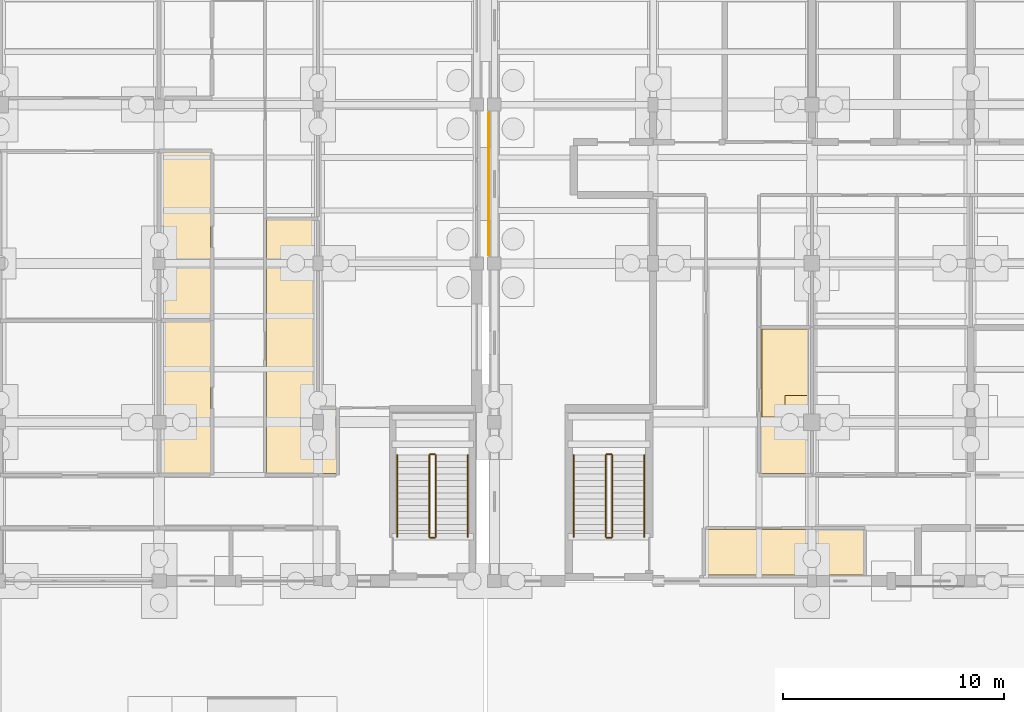
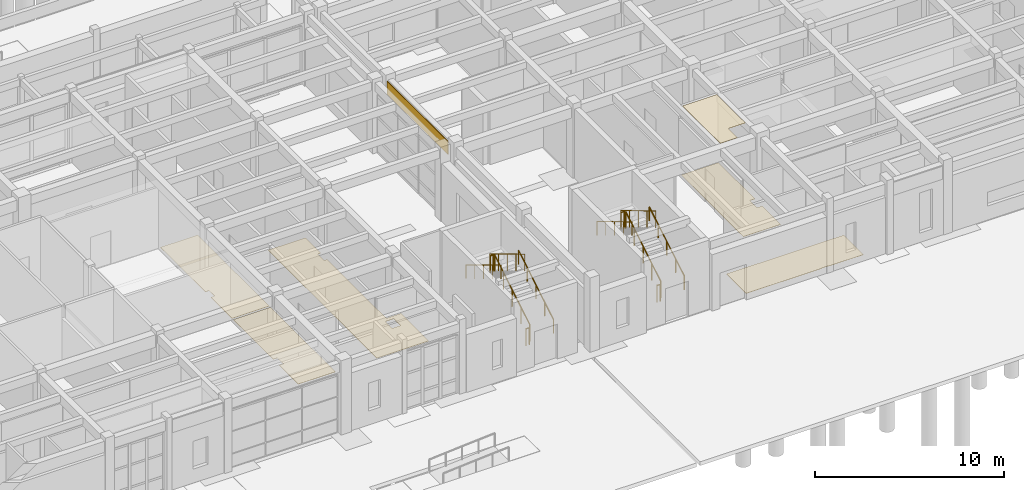
# One storey, part 130 of 143: 12 railings, 7 coverings.
"""IFC4 building model written with IfcOpenShell, lengths in metres."""

from ifc_helpers import new_model, si_unit, direction, frame, origin, origin_2d, place, context, subcontext, project, spatial, polyline, rectangle, circle, outline, extrude, material, layer, layer_set, type_object, element, save


model = new_model("IFC4")

# Units and contexts
model_context = context("Model", 3, precision=1e-05, world=origin(), true_north=direction((0.0, 1.0)))
body_context = subcontext(model_context, "Body", "Model", "MODEL_VIEW")
ifc_project = project(units=[si_unit("LENGTHUNIT", "METRE"), si_unit("AREAUNIT", "SQUARE_METRE"), si_unit("VOLUMEUNIT", "CUBIC_METRE"), si_unit("PLANEANGLEUNIT", "RADIAN"), si_unit("MASSUNIT", "GRAM", prefix="KILO")], contexts=[model_context])

# Site, building, storey
site_placement = place(None, origin())
site = spatial("IfcSite", under=ifc_project, at=site_placement, CompositionType="ELEMENT")
building_placement = place(site_placement, origin())
building = spatial("IfcBuilding", under=site, at=building_placement, Name="Steenspoor Specialist Clinic", CompositionType="ELEMENT")
storey_placement = place(building_placement, origin())
storey = spatial("IfcBuildingStorey", under=building, at=storey_placement, Name="L00", CompositionType="ELEMENT", Elevation=0.0)

# Coverings
ifc_material_1 = material(Name="Washable acoustic mineral ceiling board", Category="gypsum")
ifc_layer_1 = layer(ifc_material_1, 0.02490234375)
ifc_layer_set_1 = layer_set([ifc_layer_1], Name="Washable acoustic mineral ceiling board")
covering_type_1 = type_object("IfcCoveringType", Name="COV-CEIL-ACOUSTIC", PredefinedType="CEILING", material=ifc_layer_set_1)
covering_1_placement = place(storey_placement, frame((0.0, 0.0, 4.43505859375)))
element("IfcCovering", 1, at=covering_1_placement, inside=storey, type_object=covering_type_1, Name="Acoustic Clinical Ceiling 038", PredefinedType="CEILING", context=body_context, shape_type="SweptSolid", body=[
    extrude(outline(polyline([(132.22998046875, 24.485107421875), (132.22998046875, 21.469970703125), (131.179931640625, 21.469970703125), (131.179931640625, 20.4951171875), (130.139892578125, 20.4951171875), (130.139892578125, 24.485107421875), (132.22998046875, 24.485107421875)])), origin(), (0.0, 0.0, 1.0), 0.02490234375),
])
ifc_material_2 = material(Name="Glazed ceramic relief spandrel cladding", Category="masonry")
ifc_layer_2 = layer(ifc_material_2, 0.034912109375)
ifc_layer_set_2 = layer_set([ifc_layer_2], Name="Glazed ceramic relief spandrel cladding")
covering_type_2 = type_object("IfcCoveringType", Name="COV-CLAD-CERAMIC", PredefinedType="CLADDING", material=ifc_layer_set_2)
covering_2_placement = place(storey_placement, frame((117.75, 31.050048828125, 3.625), z_axis=(0.0, 0.0, 1.0), x_axis=(0.0, 1.0, 0.0)))
element("IfcCovering", 2, at=covering_2_placement, inside=storey, type_object=covering_type_2, Name="Spandrel Cladding 12", PredefinedType="CLADDING", context=body_context, shape_type="SweptSolid", body=[
    extrude(rectangle(XDim=6.47998046875, YDim=0.0400390625, at=origin_2d()), origin(), (0.0, 0.0, 1.0), 0.840087890625),
])
ifc_material_3 = material(Name="Seamless clinical vinyl and terrazzo flooring", Category="plastic")
ifc_layer_3 = layer(ifc_material_3, 0.02001953125)
ifc_layer_set_3 = layer_set([ifc_layer_3], Name="Seamless clinical vinyl and terrazzo flooring")
covering_type_3 = type_object("IfcCoveringType", Name="COV-FLOOR-VINYL", PredefinedType="FLOORING", material=ifc_layer_set_3)
covering_3_placement = place(storey_placement, origin())
element("IfcCovering", 3, at=covering_3_placement, inside=storey, type_object=covering_type_3, Name="Clinical Vinyl Flooring 16", PredefinedType="FLOORING", context=body_context, shape_type="SweptSolid", body=[
    extrude(outline(polyline([(105.135009765625, 24.784912109375), (105.135009765625, 17.9150390625), (102.864990234375, 17.9150390625), (102.864990234375, 19.93505859375), (103.114990234375, 19.93505859375), (103.114990234375, 20.56494140625), (102.864990234375, 20.56494140625), (102.864990234375, 24.784912109375), (105.135009765625, 24.784912109375)])), origin(), (0.0, 0.0, 1.0), 0.02001953125),
])
covering_4_placement = place(storey_placement, origin())
element("IfcCovering", 4, at=covering_4_placement, inside=storey, type_object=covering_type_3, Name="Clinical Vinyl Flooring 17", PredefinedType="FLOORING", context=body_context, shape_type="SweptSolid", body=[
    extrude(outline(polyline([(109.93505859375, 29.4150390625), (109.93505859375, 27.7900390625), (109.760009765625, 27.7900390625), (109.760009765625, 27.110107421875), (109.93505859375, 27.110107421875), (109.93505859375, 20.8349609375), (110.8349609375, 20.8349609375), (110.8349609375, 17.9150390625), (107.6650390625, 17.9150390625), (107.6650390625, 29.4150390625), (109.93505859375, 29.4150390625)]), holes=[polyline([(110.264892578125, 19.885009765625), (110.264892578125, 20.614990234375), (109.735107421875, 20.614990234375), (109.735107421875, 19.885009765625), (110.264892578125, 19.885009765625)])]), origin(), (0.0, 0.0, 1.0), 0.02001953125),
])
covering_5_placement = place(storey_placement, origin())
element("IfcCovering", 5, at=covering_5_placement, inside=storey, type_object=covering_type_3, Name="Clinical Vinyl Flooring 22", PredefinedType="FLOORING", context=body_context, shape_type="SweptSolid", body=[
    extrude(outline(polyline([(105.135009765625, 32.485107421875), (105.135009765625, 24.9150390625), (102.864990234375, 24.9150390625), (102.864990234375, 27.159912109375), (103.090087890625, 27.159912109375), (103.090087890625, 27.739990234375), (102.864990234375, 27.739990234375), (102.864990234375, 32.485107421875), (105.135009765625, 32.485107421875)])), origin(), (0.0, 0.0, 1.0), 0.02001953125),
])
covering_6_placement = place(storey_placement, origin())
element("IfcCovering", 6, at=covering_6_placement, inside=storey, type_object=covering_type_3, Name="Clinical Vinyl Flooring 44", PredefinedType="FLOORING", context=body_context, shape_type="SweptSolid", body=[
    extrude(outline(polyline([(134.735107421875, 15.385009765625), (134.735107421875, 13.31005859375), (132.614990234375, 13.31005859375), (132.614990234375, 13.340087890625), (132.18505859375, 13.340087890625), (132.18505859375, 13.31005859375), (127.56494140625, 13.31005859375), (127.56494140625, 15.385009765625), (134.735107421875, 15.385009765625)])), origin(), (0.0, 0.0, 1.0), 0.02001953125),
])
covering_7_placement = place(storey_placement, origin())
element("IfcCovering", 7, at=covering_7_placement, inside=storey, type_object=covering_type_3, Name="Clinical Vinyl Flooring 46", PredefinedType="FLOORING", context=body_context, shape_type="SweptSolid", body=[
    extrude(outline(polyline([(130.06494140625, 17.9150390625), (130.06494140625, 24.485107421875), (132.3349609375, 24.485107421875), (132.3349609375, 20.639892578125), (132.010009765625, 20.639892578125), (132.010009765625, 19.860107421875), (132.3349609375, 19.860107421875), (132.3349609375, 17.9150390625), (130.06494140625, 17.9150390625)])), origin(), (0.0, 0.0, 1.0), 0.02001953125),
])

# Railings
ifc_material_4 = material(Name="Painted architectural steel balustrade", Category="steel")
railing_type_1 = type_object("IfcRailingType", Name="RAIL-GUARD-1100", PredefinedType="GUARDRAIL", material=ifc_material_4)
railing_1_placement = place(storey_placement, frame((115.35009765625, 15.050048828125, 0.17138671875)))
element("IfcRailing", 8, at=railing_1_placement, inside=storey, type_object=railing_type_1, Name="L00 ST-V1B stair guard 1", PredefinedType="GUARDRAIL", context=body_context, shape_type="SweptSolid", body=[
    extrude(circle(Radius=0.02392578125, at=origin_2d()), frame((0.0, 0.0, 1.076171875), z_axis=(0.0, 0.856919398105, 0.515450429384), x_axis=(-1.0, 0.0, 0.0)), (0.0, 0.0, 1.0), 4.323486328125),
    extrude(circle(Radius=0.02099609375, at=origin_2d()), origin(), (0.0, 0.0, 1.0), 1.052001953125),
    extrude(circle(Radius=0.02099609375, at=origin_2d()), frame((0.0, 0.92626953125, 0.55712890625)), (0.0, 0.0, 1.0), 1.052001953125),
    extrude(circle(Radius=0.02099609375, at=origin_2d()), frame((0.0, 1.8525390625, 1.1142578125)), (0.0, 0.0, 1.0), 1.052001953125),
    extrude(circle(Radius=0.02099609375, at=origin_2d()), frame((0.0, 2.778564453125, 1.67138671875)), (0.0, 0.0, 1.0), 1.052001953125),
    extrude(circle(Radius=0.02099609375, at=origin_2d()), frame((0.0, 3.704833984375, 2.228515625)), (0.0, 0.0, 1.0), 1.052001953125),
])
railing_2_placement = place(storey_placement, frame((115.300048828125, 18.804931640625, 2.39990234375)))
element("IfcRailing", 9, at=railing_2_placement, inside=storey, type_object=railing_type_1, Name="L00 ST-V1B stair guard 2", PredefinedType="GUARDRAIL", context=body_context, shape_type="SweptSolid", body=[
    extrude(circle(Radius=0.02392578125, at=origin_2d()), frame((0.0, 0.0, 1.076171875), z_axis=(-1.0, 0.0, 0.0), x_axis=(0.0, -1.0, 0.0)), (0.0, 0.0, 1.0), 0.199951171875),
    extrude(circle(Radius=0.02099609375, at=origin_2d()), origin(), (0.0, 0.0, 1.0), 1.052001953125),
    extrude(circle(Radius=0.02099609375, at=origin_2d()), frame((-0.199951171875, 0.0, 0.0)), (0.0, 0.0, 1.0), 1.052001953125),
])
railing_3_placement = place(storey_placement, frame((115.050048828125, 18.7548828125, 2.571533203125)))
element("IfcRailing", 10, at=railing_3_placement, inside=storey, type_object=railing_type_1, Name="L00 ST-V1B stair guard 3", PredefinedType="GUARDRAIL", context=body_context, shape_type="SweptSolid", body=[
    extrude(circle(Radius=0.02392578125, at=origin_2d()), frame((0.0, 0.0, 1.076171875), z_axis=(0.0, -0.856919398105, 0.515450429384), x_axis=(1.0, 0.0, 0.0)), (0.0, 0.0, 1.0), 4.323486328125),
    extrude(circle(Radius=0.02099609375, at=origin_2d()), origin(), (0.0, 0.0, 1.0), 1.052001953125),
    extrude(circle(Radius=0.02099609375, at=origin_2d()), frame((0.0, -0.92626953125, 0.55712890625)), (0.0, 0.0, 1.0), 1.052001953125),
    extrude(circle(Radius=0.02099609375, at=origin_2d()), frame((0.0, -1.8525390625, 1.1142578125)), (0.0, 0.0, 1.0), 1.052001953125),
    extrude(circle(Radius=0.02099609375, at=origin_2d()), frame((0.0, -2.778564453125, 1.67138671875)), (0.0, 0.0, 1.0), 1.052001953125),
    extrude(circle(Radius=0.02099609375, at=origin_2d()), frame((0.0, -3.704833984375, 2.228515625)), (0.0, 0.0, 1.0), 1.052001953125),
])
railing_4_placement = place(storey_placement, frame((115.300048828125, 15.0, 0.0)))
element("IfcRailing", 11, at=railing_4_placement, inside=storey, type_object=railing_type_1, Name="L00 ST-V1B stair guard 4", PredefinedType="GUARDRAIL", context=body_context, shape_type="SweptSolid", body=[
    extrude(circle(Radius=0.02392578125, at=origin_2d()), frame((0.0, 0.0, 1.076171875), z_axis=(-1.0, 0.0, 0.0), x_axis=(0.0, -1.0, 0.0)), (0.0, 0.0, 1.0), 0.199951171875),
    extrude(circle(Radius=0.02099609375, at=origin_2d()), origin(), (0.0, 0.0, 1.0), 1.052001953125),
    extrude(circle(Radius=0.02099609375, at=origin_2d()), frame((-0.199951171875, 0.0, 0.0)), (0.0, 0.0, 1.0), 1.052001953125),
])
railing_5_placement = place(storey_placement, frame((123.35009765625, 15.050048828125, 0.17138671875)))
element("IfcRailing", 12, at=railing_5_placement, inside=storey, type_object=railing_type_1, Name="L00 ST-V2A stair guard 1", PredefinedType="GUARDRAIL", context=body_context, shape_type="SweptSolid", body=[
    extrude(circle(Radius=0.02392578125, at=origin_2d()), frame((0.0, 0.0, 1.076171875), z_axis=(0.0, 0.856919398105, 0.515450429384), x_axis=(-1.0, 0.0, 0.0)), (0.0, 0.0, 1.0), 4.323486328125),
    extrude(circle(Radius=0.02099609375, at=origin_2d()), origin(), (0.0, 0.0, 1.0), 1.052001953125),
    extrude(circle(Radius=0.02099609375, at=origin_2d()), frame((0.0, 0.92626953125, 0.55712890625)), (0.0, 0.0, 1.0), 1.052001953125),
    extrude(circle(Radius=0.02099609375, at=origin_2d()), frame((0.0, 1.8525390625, 1.1142578125)), (0.0, 0.0, 1.0), 1.052001953125),
    extrude(circle(Radius=0.02099609375, at=origin_2d()), frame((0.0, 2.778564453125, 1.67138671875)), (0.0, 0.0, 1.0), 1.052001953125),
    extrude(circle(Radius=0.02099609375, at=origin_2d()), frame((0.0, 3.704833984375, 2.228515625)), (0.0, 0.0, 1.0), 1.052001953125),
])
railing_6_placement = place(storey_placement, frame((123.300048828125, 18.804931640625, 2.39990234375)))
element("IfcRailing", 13, at=railing_6_placement, inside=storey, type_object=railing_type_1, Name="L00 ST-V2A stair guard 2", PredefinedType="GUARDRAIL", context=body_context, shape_type="SweptSolid", body=[
    extrude(circle(Radius=0.02392578125, at=origin_2d()), frame((0.0, 0.0, 1.076171875), z_axis=(-1.0, 0.0, 0.0), x_axis=(0.0, -1.0, 0.0)), (0.0, 0.0, 1.0), 0.199951171875),
    extrude(circle(Radius=0.02099609375, at=origin_2d()), origin(), (0.0, 0.0, 1.0), 1.052001953125),
    extrude(circle(Radius=0.02099609375, at=origin_2d()), frame((-0.199951171875, 0.0, 0.0)), (0.0, 0.0, 1.0), 1.052001953125),
])
railing_7_placement = place(storey_placement, frame((123.050048828125, 18.7548828125, 2.571533203125)))
element("IfcRailing", 14, at=railing_7_placement, inside=storey, type_object=railing_type_1, Name="L00 ST-V2A stair guard 3", PredefinedType="GUARDRAIL", context=body_context, shape_type="SweptSolid", body=[
    extrude(circle(Radius=0.02392578125, at=origin_2d()), frame((0.0, 0.0, 1.076171875), z_axis=(0.0, -0.856919398105, 0.515450429384), x_axis=(1.0, 0.0, 0.0)), (0.0, 0.0, 1.0), 4.323486328125),
    extrude(circle(Radius=0.02099609375, at=origin_2d()), origin(), (0.0, 0.0, 1.0), 1.052001953125),
    extrude(circle(Radius=0.02099609375, at=origin_2d()), frame((0.0, -0.92626953125, 0.55712890625)), (0.0, 0.0, 1.0), 1.052001953125),
    extrude(circle(Radius=0.02099609375, at=origin_2d()), frame((0.0, -1.8525390625, 1.1142578125)), (0.0, 0.0, 1.0), 1.052001953125),
    extrude(circle(Radius=0.02099609375, at=origin_2d()), frame((0.0, -2.778564453125, 1.67138671875)), (0.0, 0.0, 1.0), 1.052001953125),
    extrude(circle(Radius=0.02099609375, at=origin_2d()), frame((0.0, -3.704833984375, 2.228515625)), (0.0, 0.0, 1.0), 1.052001953125),
])
railing_8_placement = place(storey_placement, frame((123.300048828125, 15.0, 0.0)))
element("IfcRailing", 15, at=railing_8_placement, inside=storey, type_object=railing_type_1, Name="L00 ST-V2A stair guard 4", PredefinedType="GUARDRAIL", context=body_context, shape_type="SweptSolid", body=[
    extrude(circle(Radius=0.02392578125, at=origin_2d()), frame((0.0, 0.0, 1.076171875), z_axis=(-1.0, 0.0, 0.0), x_axis=(0.0, -1.0, 0.0)), (0.0, 0.0, 1.0), 0.199951171875),
    extrude(circle(Radius=0.02099609375, at=origin_2d()), origin(), (0.0, 0.0, 1.0), 1.052001953125),
    extrude(circle(Radius=0.02099609375, at=origin_2d()), frame((-0.199951171875, 0.0, 0.0)), (0.0, 0.0, 1.0), 1.052001953125),
])
ifc_material_5 = material(Name="Brushed stainless steel clinical handrail", Category="steel")
railing_type_2 = type_object("IfcRailingType", Name="RAIL-HAND-900", PredefinedType="HANDRAIL", material=ifc_material_5)
railing_9_placement = place(storey_placement, frame((116.800048828125, 15.050048828125, 0.17138671875)))
element("IfcRailing", 16, at=railing_9_placement, inside=storey, type_object=railing_type_2, Name="L00 ST-V1B stair handrail 1", PredefinedType="HANDRAIL", context=body_context, shape_type="SweptSolid", body=[
    extrude(circle(Radius=0.02392578125, at=origin_2d()), frame((0.0, 0.0, 0.8759765625), z_axis=(0.0, 0.856919398105, 0.515450429384), x_axis=(-1.0, 0.0, 0.0)), (0.0, 0.0, 1.0), 4.323486328125),
    extrude(circle(Radius=0.02099609375, at=origin_2d()), origin(), (0.0, 0.0, 1.0), 0.851806640625),
    extrude(circle(Radius=0.02099609375, at=origin_2d()), frame((0.0, 0.92626953125, 0.55712890625)), (0.0, 0.0, 1.0), 0.851806640625),
    extrude(circle(Radius=0.02099609375, at=origin_2d()), frame((0.0, 1.8525390625, 1.1142578125)), (0.0, 0.0, 1.0), 0.851806640625),
    extrude(circle(Radius=0.02099609375, at=origin_2d()), frame((0.0, 2.778564453125, 1.67138671875)), (0.0, 0.0, 1.0), 0.851806640625),
    extrude(circle(Radius=0.02099609375, at=origin_2d()), frame((0.0, 3.704833984375, 2.228515625)), (0.0, 0.0, 1.0), 0.851806640625),
])
railing_10_placement = place(storey_placement, frame((113.60009765625, 18.7548828125, 2.571533203125)))
element("IfcRailing", 17, at=railing_10_placement, inside=storey, type_object=railing_type_2, Name="L00 ST-V1B stair handrail 2", PredefinedType="HANDRAIL", context=body_context, shape_type="SweptSolid", body=[
    extrude(circle(Radius=0.02392578125, at=origin_2d()), frame((0.0, 0.0, 0.8759765625), z_axis=(0.0, -0.856919398105, 0.515450429384), x_axis=(1.0, 0.0, 0.0)), (0.0, 0.0, 1.0), 4.323486328125),
    extrude(circle(Radius=0.02099609375, at=origin_2d()), origin(), (0.0, 0.0, 1.0), 0.851806640625),
    extrude(circle(Radius=0.02099609375, at=origin_2d()), frame((0.0, -0.92626953125, 0.55712890625)), (0.0, 0.0, 1.0), 0.851806640625),
    extrude(circle(Radius=0.02099609375, at=origin_2d()), frame((0.0, -1.8525390625, 1.1142578125)), (0.0, 0.0, 1.0), 0.851806640625),
    extrude(circle(Radius=0.02099609375, at=origin_2d()), frame((0.0, -2.778564453125, 1.67138671875)), (0.0, 0.0, 1.0), 0.851806640625),
    extrude(circle(Radius=0.02099609375, at=origin_2d()), frame((0.0, -3.704833984375, 2.228515625)), (0.0, 0.0, 1.0), 0.851806640625),
])
railing_11_placement = place(storey_placement, frame((124.800048828125, 15.050048828125, 0.17138671875)))
element("IfcRailing", 18, at=railing_11_placement, inside=storey, type_object=railing_type_2, Name="L00 ST-V2A stair handrail 1", PredefinedType="HANDRAIL", context=body_context, shape_type="SweptSolid", body=[
    extrude(circle(Radius=0.02392578125, at=origin_2d()), frame((0.0, 0.0, 0.8759765625), z_axis=(0.0, 0.856919398105, 0.515450429384), x_axis=(-1.0, 0.0, 0.0)), (0.0, 0.0, 1.0), 4.323486328125),
    extrude(circle(Radius=0.02099609375, at=origin_2d()), origin(), (0.0, 0.0, 1.0), 0.851806640625),
    extrude(circle(Radius=0.02099609375, at=origin_2d()), frame((0.0, 0.92626953125, 0.55712890625)), (0.0, 0.0, 1.0), 0.851806640625),
    extrude(circle(Radius=0.02099609375, at=origin_2d()), frame((0.0, 1.8525390625, 1.1142578125)), (0.0, 0.0, 1.0), 0.851806640625),
    extrude(circle(Radius=0.02099609375, at=origin_2d()), frame((0.0, 2.778564453125, 1.67138671875)), (0.0, 0.0, 1.0), 0.851806640625),
    extrude(circle(Radius=0.02099609375, at=origin_2d()), frame((0.0, 3.704833984375, 2.228515625)), (0.0, 0.0, 1.0), 0.851806640625),
])
railing_12_placement = place(storey_placement, frame((121.60009765625, 18.7548828125, 2.571533203125)))
element("IfcRailing", 19, at=railing_12_placement, inside=storey, type_object=railing_type_2, Name="L00 ST-V2A stair handrail 2", PredefinedType="HANDRAIL", context=body_context, shape_type="SweptSolid", body=[
    extrude(circle(Radius=0.02392578125, at=origin_2d()), frame((0.0, 0.0, 0.8759765625), z_axis=(0.0, -0.856919398105, 0.515450429384), x_axis=(1.0, 0.0, 0.0)), (0.0, 0.0, 1.0), 4.323486328125),
    extrude(circle(Radius=0.02099609375, at=origin_2d()), origin(), (0.0, 0.0, 1.0), 0.851806640625),
    extrude(circle(Radius=0.02099609375, at=origin_2d()), frame((0.0, -0.92626953125, 0.55712890625)), (0.0, 0.0, 1.0), 0.851806640625),
    extrude(circle(Radius=0.02099609375, at=origin_2d()), frame((0.0, -1.8525390625, 1.1142578125)), (0.0, 0.0, 1.0), 0.851806640625),
    extrude(circle(Radius=0.02099609375, at=origin_2d()), frame((0.0, -2.778564453125, 1.67138671875)), (0.0, 0.0, 1.0), 0.851806640625),
    extrude(circle(Radius=0.02099609375, at=origin_2d()), frame((0.0, -3.704833984375, 2.228515625)), (0.0, 0.0, 1.0), 0.851806640625),
])

save(model, "model.ifc")
